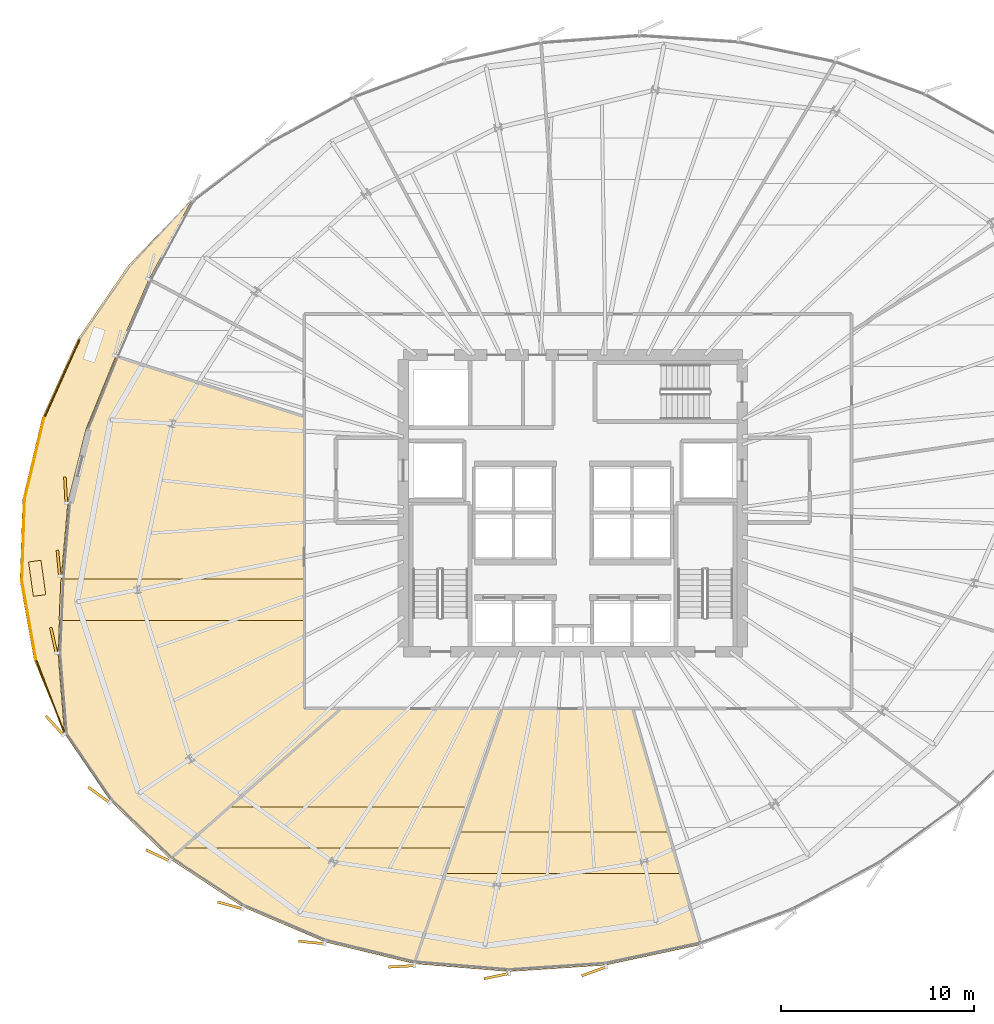
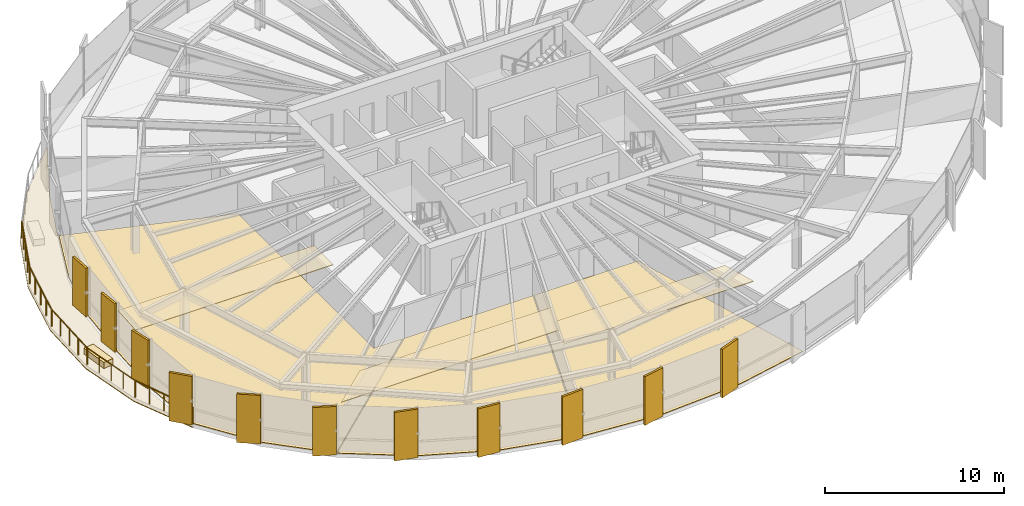
# One storey, part 32 of 35: 19 coverings, 5 railings.
"""IFC4 building model written with IfcOpenShell, lengths in metres."""

from ifc_helpers import new_model, si_unit, direction, frame, origin, origin_2d, place, context, subcontext, project, spatial, polyline, rectangle, circle, outline, extrude, source, transform, mapped, material, layer, layer_set, type_object, element, save


model = new_model("IFC4")

# Units and contexts
model_context = context("Model", 3, precision=1e-05, world=origin(), true_north=direction((0.0, 1.0)))
body_context = subcontext(model_context, "Body", "Model", "MODEL_VIEW")
ifc_project = project(units=[si_unit("LENGTHUNIT", "METRE"), si_unit("AREAUNIT", "SQUARE_METRE"), si_unit("VOLUMEUNIT", "CUBIC_METRE"), si_unit("PLANEANGLEUNIT", "RADIAN"), si_unit("MASSUNIT", "GRAM", prefix="KILO"), si_unit("THERMODYNAMICTEMPERATUREUNIT", "KELVIN")], contexts=[model_context])

# Site, building, storey
site_placement = place(None, origin())
site = spatial("IfcSite", under=ifc_project, at=site_placement, CompositionType="ELEMENT")
building_placement = place(site_placement, origin())
building = spatial("IfcBuilding", under=site, at=building_placement, Name="Kethvar Cultural Tower", CompositionType="ELEMENT")
storey_placement = place(building_placement, frame((0.0, 0.0, 100.0)))
storey = spatial("IfcBuildingStorey", under=building, at=storey_placement, Name="L24", CompositionType="ELEMENT", Elevation=100.0)

# Coverings
ifc_material_1 = material(Name="Acoustic Mineral Fibre Ceiling")
ifc_layer_1 = layer(ifc_material_1, 0.0400390625, Name="Acoustic Mineral Fibre Ceiling")
ifc_layer_set_1 = layer_set([ifc_layer_1], Name="Acoustic Mineral Fibre Ceiling (40 mm)")
covering_type_1 = type_object("IfcCoveringType", Name="CV-ACOUSTIC-CEIL", PredefinedType="CEILING", material=ifc_layer_set_1)
covering_1_placement = place(storey_placement, frame((0.0, 0.0, 2.889892578125)))
element("IfcCovering", 1, at=covering_1_placement, inside=storey, type_object=covering_type_1, Name="L24 Room 01 Acoustic Ceiling Panel", PredefinedType="CEILING", context=body_context, shape_type="SweptSolid", body=[
    extrude(outline(polyline([(28.972412109375, 12.03857421875), (41.407470703125, 12.03857421875), (40.6689453125, 9.888671875), (26.544677734375, 9.888671875), (28.972412109375, 12.03857421875)])), origin(), (0.0, 0.0, 1.0), 0.0400390625),
])
covering_2_placement = place(storey_placement, frame((0.0, 0.0, 2.889892578125)))
element("IfcCovering", 2, at=covering_2_placement, inside=storey, type_object=covering_type_1, Name="L24 Room 02 Acoustic Ceiling Panel", PredefinedType="CEILING", context=body_context, shape_type="SweptSolid", body=[
    extrude(outline(polyline([(40.9169921875, 10.733642578125), (51.779052734375, 10.733642578125), (52.40380859375, 8.583740234375), (40.178466796875, 8.583740234375), (40.9169921875, 10.733642578125)])), origin(), (0.0, 0.0, 1.0), 0.0400390625),
])
covering_3_placement = place(storey_placement, frame((0.0, 0.0, 2.889892578125)))
element("IfcCovering", 3, at=covering_3_placement, inside=storey, type_object=covering_type_1, Name="L24 Room 12 Acoustic Ceiling Panel", PredefinedType="CEILING", context=body_context, shape_type="SweptSolid", body=[
    extrude(outline(polyline([(20.21240234375, 23.868408203125), (32.8701171875, 23.868408203125), (32.8701171875, 21.71826171875), (20.1171875, 21.71826171875), (20.21240234375, 23.868408203125)])), origin(), (0.0, 0.0, 1.0), 0.0400390625),
])
ifc_material_2 = material(Name="Insulated Waterproofing Membrane")
ifc_layer_2 = layer(ifc_material_2, 0.06005859375, Name="Insulated Waterproofing Membrane")
ifc_layer_set_2 = layer_set([ifc_layer_2], Name="Insulated Waterproofing Membrane (60 mm)")
covering_type_2 = type_object("IfcCoveringType", Name="CV-ROOF-MEMB", PredefinedType="ROOFING", material=ifc_layer_set_2)
covering_4_placement = place(storey_placement, frame((0.0, 0.0, -0.27490234375)))
element("IfcCovering", 4, at=covering_4_placement, inside=storey, type_object=covering_type_2, Name="L24 Terrace Waterproofing", PredefinedType="ROOFING", context=body_context, shape_type="SweptSolid", body=[
    extrude(outline(polyline([(27.039794921875, 43.59912109375), (23.711181640625, 40.145263671875), (21.083984375, 36.316162109375), (19.238037109375, 32.228515625), (18.229736328125, 28.00634765625), (18.08935546875, 23.77783203125), (18.8212890625, 19.67138671875), (20.403564453125, 15.81201171875), (20.0625, 20.031982421875), (20.23876953125, 24.01123046875), (20.574462890625, 27.8505859375), (21.520263671875, 31.66796875), (23.06201171875, 35.44384765625), (24.78515625, 39.42626953125), (27.039794921875, 43.59912109375)])), origin(), (0.0, 0.0, 1.0), 0.059814453125),
])
ifc_material_3 = material(Name="Honed Warm Limestone", Category="masonry")
ifc_layer_3 = layer(ifc_material_3, 0.030029296875, Name="Honed Warm Limestone", Category="masonry")
ifc_layer_set_3 = layer_set([ifc_layer_3], Name="Honed Warm Limestone (30 mm)")
covering_type_3 = type_object("IfcCoveringType", Name="CV-STONE-FLOOR", PredefinedType="FLOORING", material=ifc_layer_set_3)
covering_5_placement = place(storey_placement, origin())
element("IfcCovering", 5, at=covering_5_placement, inside=storey, type_object=covering_type_3, Name="L24 Room 01 Floor Finish", PredefinedType="FLOORING", context=body_context, shape_type="SweptSolid", body=[
    extrude(outline(polyline([(33.926513671875, 5.02392578125), (29.659912109375, 6.847900390625), (25.934326171875, 9.294921875), (34.7705078125, 17.1201171875), (43.110595703125, 17.1201171875), (38.568603515625, 3.896240234375), (33.926513671875, 5.02392578125)])), origin(), (0.0, 0.0, 1.0), 0.030029296875),
])
covering_6_placement = place(storey_placement, origin())
element("IfcCovering", 6, at=covering_6_placement, inside=storey, type_object=covering_type_3, Name="L24 Room 02 Floor Finish", PredefinedType="FLOORING", context=body_context, shape_type="SweptSolid", body=[
    extrude(outline(polyline([(48.501220703125, 3.82080078125), (43.49267578125, 3.487060546875), (38.60888671875, 3.890380859375), (43.15283203125, 17.1201171875), (49.882080078125, 17.1201171875), (53.4384765625, 4.87890625), (48.501220703125, 3.82080078125)])), origin(), (0.0, 0.0, 1.0), 0.030029296875),
])
covering_7_placement = place(storey_placement, origin())
element("IfcCovering", 7, at=covering_7_placement, inside=storey, type_object=covering_type_3, Name="L24 Room 12 Floor Finish", PredefinedType="FLOORING", context=body_context, shape_type="SweptSolid", body=[
    extrude(outline(polyline([(22.80322265625, 12.330078125), (20.423095703125, 15.819091796875), (20.08251953125, 20.032470703125), (20.2587890625, 24.010009765625), (20.59423828125, 27.847412109375), (21.539306640625, 31.661865234375), (23.073486328125, 35.419189453125), (32.830078125, 32.27734375), (32.830078125, 17.137939453125), (34.710205078125, 17.1201171875), (25.902099609375, 9.319580078125), (22.80322265625, 12.330078125)])), origin(), (0.0, 0.0, 1.0), 0.030029296875),
])

# Railings
ifc_material_4 = material(Name="Steel S355J2", Category="steel")
railing_type = type_object("IfcRailingType", Name="RL-EXT-GUARD-1150", PredefinedType="BALUSTRADE", material=ifc_material_4)
railing_1_placement = place(storey_placement, frame((21.1787109375, 36.284912109375, 0.0)))
element("IfcRailing", 8, at=railing_1_placement, inside=storey, type_object=railing_type, Name="L24 Spiralling Terrace Balustrade 03", PredefinedType="BALUSTRADE", context=body_context, shape_type="SweptSolid", body=[
    extrude(circle(Radius=0.02392578125, at=origin_2d()), frame((0.0, 0.0, 1.1259765625), z_axis=(-0.41209013393, -0.911143085095, 0.0), x_axis=(0.911143085095, -0.41209013393, 0.0)), (0.0, 0.0, 1.0), 4.469482421875),
    extrude(circle(Radius=0.02099609375, at=origin_2d()), origin(), (0.0, 0.0, 1.0), 1.101806640625),
    extrude(circle(Radius=0.02099609375, at=origin_2d()), frame((-0.46044921875, -1.01806640625, 0.0)), (0.0, 0.0, 1.0), 1.101806640625),
    extrude(circle(Radius=0.02099609375, at=origin_2d()), frame((-0.9208984375, -2.0361328125, 0.0)), (0.0, 0.0, 1.0), 1.101806640625),
    extrude(circle(Radius=0.02099609375, at=origin_2d()), frame((-1.38134765625, -3.05419921875, 0.0)), (0.0, 0.0, 1.0), 1.101806640625),
    extrude(circle(Radius=0.02099609375, at=origin_2d()), frame((-1.841796875, -4.072265625, 0.0)), (0.0, 0.0, 1.0), 1.101806640625),
])
railing_2_placement = place(storey_placement, frame((19.3369140625, 32.212646484375, 0.0)))
element("IfcRailing", 9, at=railing_2_placement, inside=storey, type_object=railing_type, Name="L24 Spiralling Terrace Balustrade 04", PredefinedType="BALUSTRADE", context=body_context, shape_type="SweptSolid", body=[
    extrude(circle(Radius=0.02392578125, at=origin_2d()), frame((0.0, 0.0, 1.1259765625), z_axis=(-0.232856369016, -0.972511136907, 0.0), x_axis=(0.972511136907, -0.232856369016, 0.0)), (0.0, 0.0, 1.0), 4.325927734375),
    extrude(circle(Radius=0.02099609375, at=origin_2d()), origin(), (0.0, 0.0, 1.0), 1.101806640625),
    extrude(circle(Radius=0.02099609375, at=origin_2d()), frame((-0.251953125, -1.0517578125, 0.0)), (0.0, 0.0, 1.0), 1.101806640625),
    extrude(circle(Radius=0.02099609375, at=origin_2d()), frame((-0.503662109375, -2.103515625, 0.0)), (0.0, 0.0, 1.0), 1.101806640625),
    extrude(circle(Radius=0.02099609375, at=origin_2d()), frame((-0.75537109375, -3.1552734375, 0.0)), (0.0, 0.0, 1.0), 1.101806640625),
    extrude(circle(Radius=0.02099609375, at=origin_2d()), frame((-1.00732421875, -4.20703125, 0.0)), (0.0, 0.0, 1.0), 1.101806640625),
])
railing_3_placement = place(storey_placement, frame((18.32958984375, 28.005615234375, 0.0)))
element("IfcRailing", 10, at=railing_3_placement, inside=storey, type_object=railing_type, Name="L24 Spiralling Terrace Balustrade 05", PredefinedType="BALUSTRADE", context=body_context, shape_type="SweptSolid", body=[
    extrude(circle(Radius=0.02392578125, at=origin_2d()), frame((0.0, 0.0, 1.1259765625), z_axis=(-0.033469071705, -0.999439753682, 0.0), x_axis=(0.999439753682, -0.033469071705, 0.0)), (0.0, 0.0, 1.0), 4.21630859375),
    extrude(circle(Radius=0.02099609375, at=origin_2d()), origin(), (0.0, 0.0, 1.0), 1.101806640625),
    extrude(circle(Radius=0.02099609375, at=origin_2d()), frame((-0.03515625, -1.053466796875, 0.0)), (0.0, 0.0, 1.0), 1.101806640625),
    extrude(circle(Radius=0.02099609375, at=origin_2d()), frame((-0.070556640625, -2.10693359375, 0.0)), (0.0, 0.0, 1.0), 1.101806640625),
    extrude(circle(Radius=0.02099609375, at=origin_2d()), frame((-0.10595703125, -3.160400390625, 0.0)), (0.0, 0.0, 1.0), 1.101806640625),
    extrude(circle(Radius=0.02099609375, at=origin_2d()), frame((-0.14111328125, -4.2138671875, 0.0)), (0.0, 0.0, 1.0), 1.101806640625),
])
railing_4_placement = place(storey_placement, frame((18.1884765625, 23.791748046875, 0.0)))
element("IfcRailing", 11, at=railing_4_placement, inside=storey, type_object=railing_type, Name="L24 Spiralling Terrace Balustrade 06", PredefinedType="BALUSTRADE", context=body_context, shape_type="SweptSolid", body=[
    extrude(circle(Radius=0.02392578125, at=origin_2d()), frame((0.0, 0.0, 1.1259765625), z_axis=(0.175379992766, -0.984500816728, 0.0), x_axis=(0.984500816728, 0.175379992766, 0.0)), (0.0, 0.0, 1.0), 4.15673828125),
    extrude(circle(Radius=0.02099609375, at=origin_2d()), origin(), (0.0, 0.0, 1.0), 1.101806640625),
    extrude(circle(Radius=0.02099609375, at=origin_2d()), frame((0.18212890625, -1.02294921875, 0.0)), (0.0, 0.0, 1.0), 1.101806640625),
    extrude(circle(Radius=0.02099609375, at=origin_2d()), frame((0.364501953125, -2.046142578125, 0.0)), (0.0, 0.0, 1.0), 1.101806640625),
    extrude(circle(Radius=0.02099609375, at=origin_2d()), frame((0.546875, -3.0693359375, 0.0)), (0.0, 0.0, 1.0), 1.101806640625),
    extrude(circle(Radius=0.02099609375, at=origin_2d()), frame((0.72900390625, -4.09228515625, 0.0)), (0.0, 0.0, 1.0), 1.101806640625),
])
railing_5_placement = place(storey_placement, frame((18.91748046875, 19.699462890625, 0.0)))
element("IfcRailing", 12, at=railing_5_placement, inside=storey, type_object=railing_type, Name="L24 Spiralling Terrace Balustrade 07", PredefinedType="BALUSTRADE", context=body_context, shape_type="SweptSolid", body=[
    extrude(circle(Radius=0.02392578125, at=origin_2d()), frame((0.0, 0.0, 1.1259765625), z_axis=(0.357075748609, -0.934075430442, 0.0), x_axis=(0.934075430442, 0.357075748609, 0.0)), (0.0, 0.0, 1.0), 4.161865234375),
    extrude(circle(Radius=0.02099609375, at=origin_2d()), origin(), (0.0, 0.0, 1.0), 1.101806640625),
    extrude(circle(Radius=0.02099609375, at=origin_2d()), frame((0.37158203125, -0.971923828125, 0.0)), (0.0, 0.0, 1.0), 1.101806640625),
    extrude(circle(Radius=0.02099609375, at=origin_2d()), frame((0.7431640625, -1.94384765625, 0.0)), (0.0, 0.0, 1.0), 1.101806640625),
    extrude(circle(Radius=0.02099609375, at=origin_2d()), frame((1.114501953125, -2.91552734375, 0.0)), (0.0, 0.0, 1.0), 1.101806640625),
    extrude(circle(Radius=0.02099609375, at=origin_2d()), frame((1.486083984375, -3.887451171875, 0.0)), (0.0, 0.0, 1.0), 1.101806640625),
])

# Coverings
ifc_material_5 = material(Name="Extruded Architectural Terracotta", Category="masonry")
ifc_layer_4 = layer(ifc_material_5, 0.419921875, Name="Extruded Architectural Terracotta", Category="masonry")
ifc_layer_set_4 = layer_set([ifc_layer_4], Name="Extruded Architectural Terracotta (420 mm)")
covering_type_4 = type_object("IfcCoveringType", Name="Terracotta Terrace Planter PLANTER-01", PredefinedType="USERDEFINED", material=ifc_layer_set_4)
shared_shape_1 = source(origin(), body_context, "Body", "SweptSolid", [
    extrude(rectangle(XDim=1.800048828125, YDim=0.64990234375, at=origin_2d()), origin(), (0.0, 0.0, 1.0), 0.419921875),
])
covering_8_placement = place(storey_placement, frame((18.980712890625, 23.902587890625, 0.0), z_axis=(0.0, 0.0, 1.0), x_axis=(0.138654578758, -0.99034080386, 0.0)))
element("IfcCovering", 13, at=covering_8_placement, inside=storey, type_object=covering_type_4, Name="L24 Sky Terrace Planter Box B", ObjectType="PLANTER", PredefinedType="USERDEFINED", context=body_context, shape_type="MappedRepresentation", body=[
    mapped(shared_shape_1, transform((0.0, 0.0, 0.0), scale=1.0)),
])
ifc_layer_5 = layer(ifc_material_5, 0.135009765625, Name="Extruded Architectural Terracotta", Category="masonry")
ifc_layer_set_5 = layer_set([ifc_layer_5], Name="Extruded Architectural Terracotta (135 mm)")
covering_type_5 = type_object("IfcCoveringType", Name="Terracotta Facade Fin FIN-02", PredefinedType="CLADDING", material=ifc_layer_set_5)
shared_shape_2 = source(origin(), body_context, "Body", "SweptSolid", [
    extrude(rectangle(XDim=1.35009765625, YDim=0.135009765625, at=origin_2d()), origin(), (0.0, 0.0, 1.0), 3.31005859375),
])
for number, where, z_axis, x_axis, name in (
    (14, (20.4560546875, 28.492919921875, 0.02001953125), (0.0, 0.0, 1.0), (-0.052335956243, 0.998629534755, 0.0), "L24 Vertical Terracotta Fin 4.1"),
    (15, (20.094482421875, 24.686767578125, 0.02001953125), (0.0, 0.0, 1.0), (-0.095324551175, 0.995446246637, 0.0), "L24 Vertical Terracotta Fin 4.2"),
    (16, (19.83544921875, 20.684326171875, 0.02001953125), (0.0, 0.0, 1.0), (-0.218483887314, 0.975840556128, 0.0), "L24 Vertical Terracotta Fin 4.3"),
    (17, (19.88330078125, 16.266357421875, 0.02001953125), (0.0, 0.0, 1.0), (-0.67301251351, 0.739631094979, 0.0), "L24 Vertical Terracotta Fin 4.4"),
    (18, (22.18701171875, 12.658203125, 0.02001953125), (0.0, 0.0, 1.0), (-0.807269441918, 0.590183063249, 0.0), "L24 Vertical Terracotta Fin 4.5"),
    (19, (25.247314453125, 9.513916015625, 0.02001953125), (0.0, 0.0, 1.0), (-0.904082549661, 0.427357863387, 0.0), "L24 Vertical Terracotta Fin 4.6"),
    (20, (29.00341796875, 6.91748046875, 0.02001953125), (0.0, 0.0, 1.0), (-0.965290529158, 0.261178472154, 0.0), "L24 Vertical Terracotta Fin 5.1"),
    (21, (33.229736328125, 4.993896484375, 0.02001953125), (0.0, 0.0, 1.0), (-0.995124665732, 0.098625045759, 0.0), "L24 Vertical Terracotta Fin 5.2"),
    (22, (37.901123046875, 3.754150390625, 0.02001953125), (0.0, 0.0, 1.0), (-0.998361849427, -0.057215536424, 0.0), "L24 Vertical Terracotta Fin 5.3"),
    (23, (42.837158203125, 3.2490234375, 0.02001953125), (0.0, 0.0, 1.0), (-0.978831682559, -0.204666893315, 0.0), "L24 Vertical Terracotta Fin 5.4"),
    (24, (47.88671875, 3.490478515625, 0.02001953125), (0.0, 0.0, 1.0), (-0.939094252095, -0.343659694586, 0.0), "L24 Vertical Terracotta Fin 5.5"),
):
    element("IfcCovering", number, at=place(storey_placement, frame(where, z_axis=z_axis, x_axis=x_axis)), inside=storey, type_object=covering_type_5, Name=name, PredefinedType="CLADDING", context=body_context, shape_type="MappedRepresentation", body=[
        mapped(shared_shape_2, transform((0.0, 0.0, 0.0), scale=1.0)),
    ])

save(model, "model.ifc")
